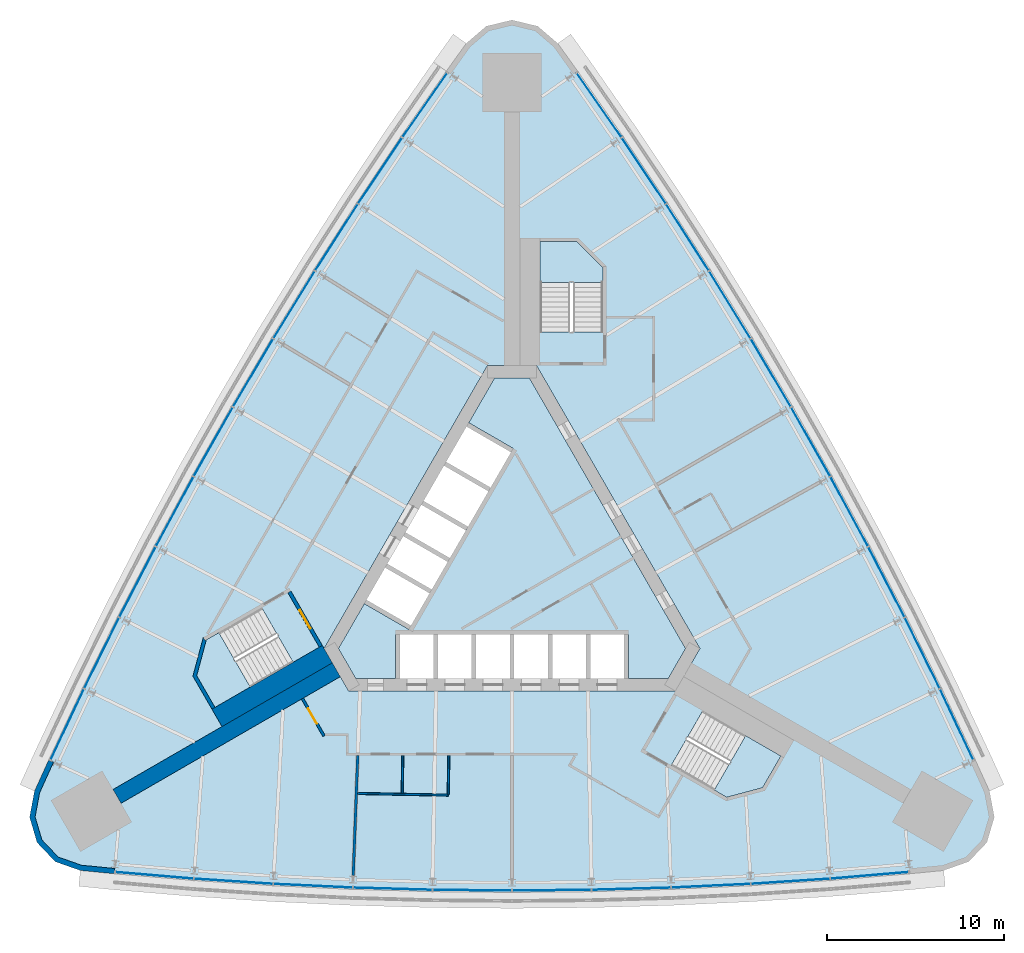
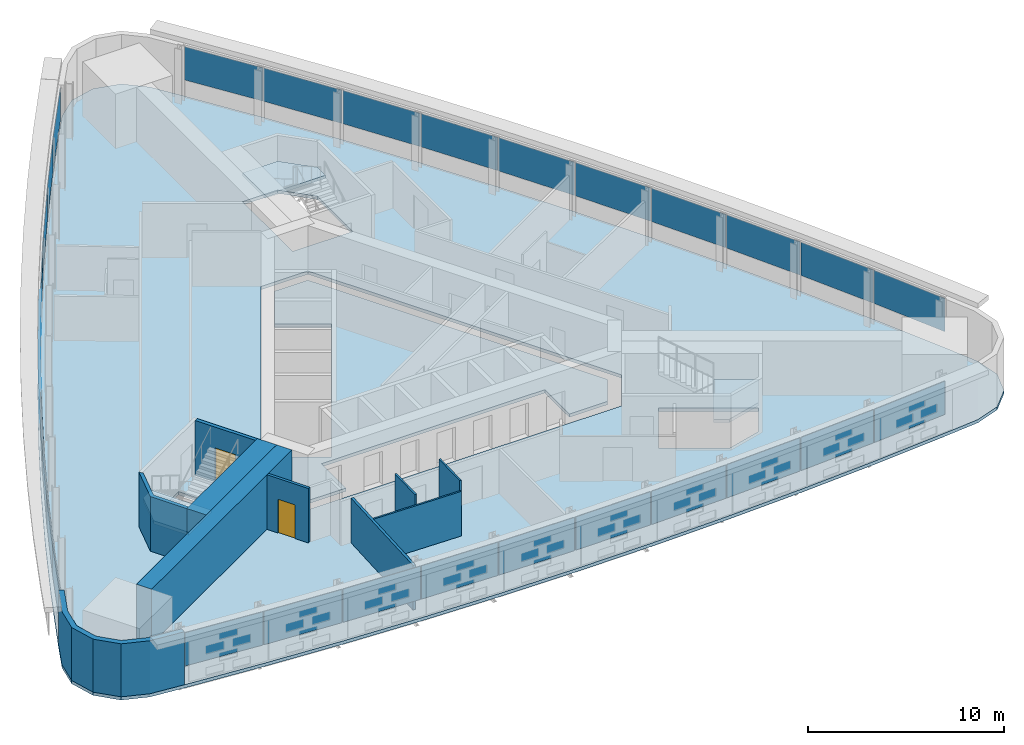
# One storey, part 9 of 14: 30 plates, 10 walls, 5 slabs, 2 doors, 2 openings, 6 elements without a shape of their own.
"""IFC4 building model written with IfcOpenShell, lengths in metres."""

from ifc_helpers import new_model, si_unit, direction, frame, frame_2d, origin, origin_2d, place, context, subcontext, project, spatial, polyline, rectangle, outline, extrude, material, layer, layer_set, type_object, element, fill, aggregate, save


model = new_model("IFC4")

# Units and contexts
model_context = context("Model", 3, precision=1e-05, world=origin(), true_north=direction((0.0, 1.0)))
body_context = subcontext(model_context, "Body", "Model", "MODEL_VIEW")
ifc_project = project(units=[si_unit("LENGTHUNIT", "METRE"), si_unit("AREAUNIT", "SQUARE_METRE"), si_unit("VOLUMEUNIT", "CUBIC_METRE"), si_unit("PLANEANGLEUNIT", "RADIAN"), si_unit("MASSUNIT", "GRAM", prefix="KILO")], contexts=[model_context])

# Site, building, storey
site_placement = place(None, origin())
site = spatial("IfcSite", under=ifc_project, at=site_placement, CompositionType="ELEMENT")
building_placement = place(site_placement, origin())
building = spatial("IfcBuilding", under=site, at=building_placement, Name="Noor Cloister Tower", CompositionType="ELEMENT")
storey_placement = place(building_placement, frame((0.0, 0.0, 42.0)))
storey = spatial("IfcBuildingStorey", under=building, at=storey_placement, Name="L10", CompositionType="ELEMENT", Elevation=42.0)

# Slabs
ifc_material_1 = material(Name="Concrete C40/50", Category="concrete")
ifc_layer_1 = layer(ifc_material_1, 0.199951171875)
ifc_layer_set_1 = layer_set([ifc_layer_1], Name="Core floor slab 200 C40/50")
slab_type_1 = type_object("IfcSlabType", Name="Core floor slab 200 C40/50", PredefinedType="FLOOR", material=ifc_layer_set_1)
slab_1_placement = place(storey_placement, frame((0.0, 0.0, -0.199951171875)))
element("IfcSlab", 1, at=slab_1_placement, inside=storey, type_object=slab_type_1, Name="Core floor L10", PredefinedType="FLOOR", context=body_context, shape_type="SweptSolid", body=[
    extrude(outline(polyline([(-6.574951171875, -6.228271484375), (-6.574951171875, -3.728271484375), (6.574951171875, -3.728271484375), (6.574951171875, -6.228271484375), (8.82470703125, -6.228271484375), (9.80615234375, -4.5283203125), (0.9814453125, 10.75634765625), (-0.9814453125, 10.75634765625), (-2.44384765625, 8.2236328125), (0.067626953125, 6.773681640625), (-5.832275390625, -3.4453125), (-8.34375, -1.995361328125), (-9.80615234375, -4.5283203125), (-8.82470703125, -6.228271484375), (-6.574951171875, -6.228271484375)])), origin(), (0.0, 0.0, 1.0), 0.199951171875),
])
ifc_material_2 = material(Name="Concrete C40/50", Category="concrete")
ifc_layer_2 = layer(ifc_material_2, 0.199951171875)
ifc_layer_set_2 = layer_set([ifc_layer_2], Name="Floor slab 200 C40/50")
slab_type_2 = type_object("IfcSlabType", Name="Floor slab 200 C40/50", PredefinedType="FLOOR", material=ifc_layer_set_2)
slab_2_placement = place(storey_placement, frame((0.0, 0.0, -0.199951171875)))
element("IfcSlab", 2, at=slab_2_placement, inside=storey, type_object=slab_type_2, Name="Floor slab L10", PredefinedType="FLOOR", context=body_context, shape_type="SweptSolid", body=[
    extrude(outline(polyline([(2.58642578125, 29.65234375), (1.45263671875, 30.625244140625), (0.0, 30.975341796875), (-1.45263671875, 30.625244140625), (-2.58642578125, 29.65234375), (-3.708984375, 28.084228515625), (-6.279052734375, 24.390380859375), (-8.779296875, 20.64892578125), (-11.209228515625, 16.861572265625), (-13.56787109375, 13.029296875), (-15.854248046875, 9.1533203125), (-18.067626953125, 5.2353515625), (-20.207275390625, 1.27685546875), (-22.272216796875, -2.721435546875), (-24.26220703125, -6.75732421875), (-26.176025390625, -10.830078125), (-26.972900390625, -12.586181640625), (-27.24853515625, -14.0546875), (-26.825439453125, -15.487548828125), (-25.7958984375, -16.570556640625), (-24.386474609375, -17.066162109375), (-22.467041015625, -17.254150390625), (-17.983154296875, -17.633056640625), (-13.492919921875, -17.927734375), (-8.997802734375, -18.13818359375), (-4.499755859375, -18.2646484375), (0.0, -18.306884765625), (4.499755859375, -18.2646484375), (8.997802734375, -18.13818359375), (13.492919921875, -17.927734375), (17.983154296875, -17.633056640625), (22.467041015625, -17.254150390625), (24.386474609375, -17.066162109375), (25.7958984375, -16.570556640625), (26.825439453125, -15.487548828125), (27.24853515625, -14.0546875), (26.972900390625, -12.586181640625), (26.176025390625, -10.830078125), (24.26220703125, -6.75732421875), (22.272216796875, -2.721435546875), (20.207275390625, 1.27685546875), (18.067626953125, 5.2353515625), (15.854248046875, 9.1533203125), (13.56787109375, 13.029296875), (11.209228515625, 16.861572265625), (8.779296875, 20.64892578125), (6.279052734375, 24.390380859375), (3.708984375, 28.084228515625), (2.58642578125, 29.65234375)]), holes=[polyline([(8.999755859375, -11.126220703125), (12.131591796875, -12.934326171875), (14.1572265625, -12.3916015625), (15.19091796875, -10.601318359375), (10.774658203125, -8.0517578125), (8.999755859375, -11.126220703125)]), polyline([(-17.81005859375, -6.064697265625), (-16.776611328125, -7.85498046875), (-12.3603515625, -5.305419921875), (-14.13525390625, -2.23095703125), (-16.662841796875, -3.690185546875), (-17.267333984375, -4.039306640625), (-17.81005859375, -6.064697265625)]), polyline([(-10.6142578125, -4.5283203125), (-9.228759765625, -6.92822265625), (9.228759765625, -6.92822265625), (10.6142578125, -4.5283203125), (1.3857421875, 11.456298828125), (-1.3857421875, 11.456298828125), (-10.6142578125, -4.5283203125)]), polyline([(3.65283203125, 18.456298828125), (1.585693359375, 18.456298828125), (1.585693359375, 13.35693359375), (5.135498046875, 13.35693359375), (5.135498046875, 16.9736328125), (3.65283203125, 18.456298828125)])]), origin(), (0.0, 0.0, 1.0), 0.199951171875),
])

# Curtain wall, plates
ifc_material_3 = material(Name="Aluminium 6063-T6 anodised", Category="aluminium")
curtain_wall_type = type_object("IfcCurtainWallType", Name="Ribbon curtain wall, lower tower CW1", PredefinedType="NOTDEFINED", material=ifc_material_3)
curtain_wall_1_placement = place(storey_placement, origin())
curtain_wall_1 = element("IfcCurtainWall", 3, at=curtain_wall_1_placement, inside=storey, type_object=curtain_wall_type, Name="CW1 L10 NW run 1", PredefinedType="NOTDEFINED")
ifc_material_4 = material(Name="Clear laminated glass 2 x 8 mm", Category="glass")
ifc_layer_3 = layer(ifc_material_4, 0.028076171875)
ifc_layer_set_3 = layer_set([ifc_layer_3], Name="Glass panel CW1")
plate_type = type_object("IfcPlateType", Name="Glass panel CW1", PredefinedType="CURTAIN_PANEL", material=ifc_layer_set_3)
plate_1_placement = place(storey_placement, frame((-4.923095703125, 26.1640625, 1.08984375), z_axis=(0.0, 0.0, 1.0), x_axis=(-0.571122109742, -0.820865114232, 0.0)))
plate_1 = element("IfcPlate", 4, at=plate_1_placement, type_object=plate_type, Name="CW1 glass panel 1", PredefinedType="CURTAIN_PANEL", context=body_context, shape_type="SweptSolid", body=[
    extrude(rectangle(XDim=4.39892578125, YDim=0.028076171875, at=origin_2d()), origin(), (0.0, 0.0, 1.0), 2.070068359375),
])
plate_2_placement = place(storey_placement, frame((-7.446044921875, 22.464111328125, 1.08984375), z_axis=(0.0, 0.0, 1.0), x_axis=(-0.555650176411, -0.831416190277, 0.0)))
plate_2 = element("IfcPlate", 5, at=plate_2_placement, type_object=plate_type, Name="CW1 glass panel 2", PredefinedType="CURTAIN_PANEL", context=body_context, shape_type="SweptSolid", body=[
    extrude(rectangle(XDim=4.43798828125, YDim=0.028076171875, at=origin_2d()), origin(), (0.0, 0.0, 1.0), 2.070068359375),
])
plate_3_placement = place(storey_placement, frame((-9.91015625, 18.701171875, 1.08984375), z_axis=(0.0, 0.0, 1.0), x_axis=(-0.53998335858, -0.84167569316, 0.0)))
plate_3 = element("IfcPlate", 6, at=plate_3_placement, type_object=plate_type, Name="CW1 glass panel 3", PredefinedType="CURTAIN_PANEL", context=body_context, shape_type="SweptSolid", body=[
    extrude(rectangle(XDim=4.43798828125, YDim=0.028076171875, at=origin_2d()), origin(), (0.0, 0.0, 1.0), 2.070068359375),
])
plate_4_placement = place(storey_placement, frame((-12.303466796875, 14.89306640625, 1.08984375), z_axis=(0.0, 0.0, 1.0), x_axis=(-0.524127179896, -0.851640005691, 0.0)))
plate_4 = element("IfcPlate", 7, at=plate_4_placement, type_object=plate_type, Name="CW1 glass panel 4", PredefinedType="CURTAIN_PANEL", context=body_context, shape_type="SweptSolid", body=[
    extrude(rectangle(XDim=4.43798828125, YDim=0.028076171875, at=origin_2d()), origin(), (0.0, 0.0, 1.0), 2.070068359375),
])
plate_5_placement = place(storey_placement, frame((-14.624755859375, 11.04052734375, 1.08984375), z_axis=(0.0, 0.0, 1.0), x_axis=(-0.508087171671, -0.861305651893, 0.0)))
plate_5 = element("IfcPlate", 8, at=plate_5_placement, type_object=plate_type, Name="CW1 glass panel 5", PredefinedType="CURTAIN_PANEL", context=body_context, shape_type="SweptSolid", body=[
    extrude(rectangle(XDim=4.43798828125, YDim=0.028076171875, at=origin_2d()), origin(), (0.0, 0.0, 1.0), 2.070068359375),
])
plate_6_placement = place(storey_placement, frame((-16.873779296875, 7.145263671875, 1.08984375), z_axis=(0.0, 0.0, 1.0), x_axis=(-0.491868989127, -0.870669223951, 0.0)))
plate_6 = element("IfcPlate", 9, at=plate_6_placement, type_object=plate_type, Name="CW1 glass panel 6", PredefinedType="CURTAIN_PANEL", context=body_context, shape_type="SweptSolid", body=[
    extrude(rectangle(XDim=4.43798828125, YDim=0.028076171875, at=origin_2d()), origin(), (0.0, 0.0, 1.0), 2.070068359375),
])
plate_7_placement = place(storey_placement, frame((-19.04931640625, 3.20849609375, 1.08984375), z_axis=(0.0, 0.0, 1.0), x_axis=(-0.47547828986, -0.87972745545, 0.0)))
plate_7 = element("IfcPlate", 10, at=plate_7_placement, type_object=plate_type, Name="CW1 glass panel 7", PredefinedType="CURTAIN_PANEL", context=body_context, shape_type="SweptSolid", body=[
    extrude(rectangle(XDim=4.43798828125, YDim=0.028076171875, at=origin_2d()), origin(), (0.0, 0.0, 1.0), 2.070068359375),
])
plate_8_placement = place(storey_placement, frame((-21.15087890625, -0.768310546875, 1.08984375), z_axis=(0.0, 0.0, 1.0), x_axis=(-0.458920852734, -0.888477152731, 0.0)))
plate_8 = element("IfcPlate", 11, at=plate_8_placement, type_object=plate_type, Name="CW1 glass panel 8", PredefinedType="CURTAIN_PANEL", context=body_context, shape_type="SweptSolid", body=[
    extrude(rectangle(XDim=4.43798828125, YDim=0.028076171875, at=origin_2d()), origin(), (0.0, 0.0, 1.0), 2.070068359375),
])
plate_9_placement = place(storey_placement, frame((-23.177490234375, -4.78369140625, 1.08984375), z_axis=(0.0, 0.0, 1.0), x_axis=(-0.442202453692, -0.896915263528, 0.0)))
plate_9 = element("IfcPlate", 12, at=plate_9_placement, type_object=plate_type, Name="CW1 glass panel 9", PredefinedType="CURTAIN_PANEL", context=body_context, shape_type="SweptSolid", body=[
    extrude(rectangle(XDim=4.43798828125, YDim=0.028076171875, at=origin_2d()), origin(), (0.0, 0.0, 1.0), 2.070068359375),
])
plate_10_placement = place(storey_placement, frame((-25.120361328125, -8.818603515625, 1.08984375), z_axis=(0.0, 0.0, 1.0), x_axis=(-0.425328987134, -0.905038812816, 0.0)))
plate_10 = element("IfcPlate", 13, at=plate_10_placement, type_object=plate_type, Name="CW1 glass panel 10", PredefinedType="CURTAIN_PANEL", context=body_context, shape_type="SweptSolid", body=[
    extrude(rectangle(XDim=4.39892578125, YDim=0.028076171875, at=origin_2d()), origin(), (0.0, 0.0, 1.0), 2.070068359375),
])
aggregate(curtain_wall_1, [plate_1, plate_2, plate_3, plate_4, plate_5, plate_6, plate_7, plate_8, plate_9, plate_10])

curtain_wall_2_placement = place(storey_placement, origin())
curtain_wall_2 = element("IfcCurtainWall", 14, at=curtain_wall_2_placement, inside=storey, type_object=curtain_wall_type, Name="CW1 L10 S run 2", PredefinedType="NOTDEFINED")
plate_11_placement = place(storey_placement, frame((-20.197265625, -17.345458984375, 1.08984375), z_axis=(0.0, 0.0, 1.0), x_axis=(0.996451096877, -0.084173698584, 0.0)))
plate_11 = element("IfcPlate", 15, at=plate_11_placement, type_object=plate_type, Name="CW1 glass panel 1", PredefinedType="CURTAIN_PANEL", context=body_context, shape_type="SweptSolid", body=[
    extrude(rectangle(XDim=4.39892578125, YDim=0.028076171875, at=origin_2d()), origin(), (0.0, 0.0, 1.0), 2.070068359375),
])
plate_12_placement = place(storey_placement, frame((-15.7314453125, -17.680419921875, 1.08984375), z_axis=(0.0, 0.0, 1.0), x_axis=(0.997852630103, -0.065499073251, 0.0)))
plate_12 = element("IfcPlate", 16, at=plate_12_placement, type_object=plate_type, Name="CW1 glass panel 2", PredefinedType="CURTAIN_PANEL", context=body_context, shape_type="SweptSolid", body=[
    extrude(rectangle(XDim=4.43798828125, YDim=0.028076171875, at=origin_2d()), origin(), (0.0, 0.0, 1.0), 2.070068359375),
])
plate_13_placement = place(storey_placement, frame((-11.24072265625, -17.93310546875, 1.08984375), z_axis=(0.0, 0.0, 1.0), x_axis=(0.998904211315, -0.046801459571, 0.0)))
plate_13 = element("IfcPlate", 17, at=plate_13_placement, type_object=plate_type, Name="CW1 glass panel 3", PredefinedType="CURTAIN_PANEL", context=body_context, shape_type="SweptSolid", body=[
    extrude(rectangle(XDim=4.43798828125, YDim=0.028076171875, at=origin_2d()), origin(), (0.0, 0.0, 1.0), 2.070068359375),
])
plate_14_placement = place(storey_placement, frame((-6.74609375, -18.1015625, 1.08984375), z_axis=(0.0, 0.0, 1.0), x_axis=(0.999605469756, -0.028087449758, 0.0)))
plate_14 = element("IfcPlate", 18, at=plate_14_placement, type_object=plate_type, Name="CW1 glass panel 4", PredefinedType="CURTAIN_PANEL", context=body_context, shape_type="SweptSolid", body=[
    extrude(rectangle(XDim=4.43798828125, YDim=0.028076171875, at=origin_2d()), origin(), (0.0, 0.0, 1.0), 2.070068359375),
])
plate_15_placement = place(storey_placement, frame((-2.2490234375, -18.185791015625, 1.08984375), z_axis=(0.0, 0.0, 1.0), x_axis=(0.999956160798, -0.009363572057, 0.0)))
plate_15 = element("IfcPlate", 19, at=plate_15_placement, type_object=plate_type, Name="CW1 glass panel 5", PredefinedType="CURTAIN_PANEL", context=body_context, shape_type="SweptSolid", body=[
    extrude(rectangle(XDim=4.43798828125, YDim=0.028076171875, at=origin_2d()), origin(), (0.0, 0.0, 1.0), 2.070068359375),
])
plate_16_placement = place(storey_placement, frame((2.2490234375, -18.185791015625, 1.08984375), z_axis=(0.0, 0.0, 1.0), x_axis=(0.999956160798, 0.009363572057, 0.0)))
plate_16 = element("IfcPlate", 20, at=plate_16_placement, type_object=plate_type, Name="CW1 glass panel 6", PredefinedType="CURTAIN_PANEL", context=body_context, shape_type="SweptSolid", body=[
    extrude(rectangle(XDim=4.43798828125, YDim=0.028076171875, at=origin_2d()), origin(), (0.0, 0.0, 1.0), 2.070068359375),
])
plate_17_placement = place(storey_placement, frame((6.74609375, -18.1015625, 1.08984375), z_axis=(0.0, 0.0, 1.0), x_axis=(0.999605469756, 0.028087449758, 0.0)))
plate_17 = element("IfcPlate", 21, at=plate_17_placement, type_object=plate_type, Name="CW1 glass panel 7", PredefinedType="CURTAIN_PANEL", context=body_context, shape_type="SweptSolid", body=[
    extrude(rectangle(XDim=4.43798828125, YDim=0.028076171875, at=origin_2d()), origin(), (0.0, 0.0, 1.0), 2.070068359375),
])
plate_18_placement = place(storey_placement, frame((11.24072265625, -17.93310546875, 1.08984375), z_axis=(0.0, 0.0, 1.0), x_axis=(0.998904211315, 0.046801459571, 0.0)))
plate_18 = element("IfcPlate", 22, at=plate_18_placement, type_object=plate_type, Name="CW1 glass panel 8", PredefinedType="CURTAIN_PANEL", context=body_context, shape_type="SweptSolid", body=[
    extrude(rectangle(XDim=4.43798828125, YDim=0.028076171875, at=origin_2d()), origin(), (0.0, 0.0, 1.0), 2.070068359375),
])
plate_19_placement = place(storey_placement, frame((15.7314453125, -17.680419921875, 1.08984375), z_axis=(0.0, 0.0, 1.0), x_axis=(0.997852630103, 0.065499073251, 0.0)))
plate_19 = element("IfcPlate", 23, at=plate_19_placement, type_object=plate_type, Name="CW1 glass panel 9", PredefinedType="CURTAIN_PANEL", context=body_context, shape_type="SweptSolid", body=[
    extrude(rectangle(XDim=4.43798828125, YDim=0.028076171875, at=origin_2d()), origin(), (0.0, 0.0, 1.0), 2.070068359375),
])
plate_20_placement = place(storey_placement, frame((20.197265625, -17.345458984375, 1.08984375), z_axis=(0.0, 0.0, 1.0), x_axis=(0.996451096877, 0.084173698584, 0.0)))
plate_20 = element("IfcPlate", 24, at=plate_20_placement, type_object=plate_type, Name="CW1 glass panel 10", PredefinedType="CURTAIN_PANEL", context=body_context, shape_type="SweptSolid", body=[
    extrude(rectangle(XDim=4.39892578125, YDim=0.028076171875, at=origin_2d()), origin(), (0.0, 0.0, 1.0), 2.070068359375),
])
aggregate(curtain_wall_2, [plate_11, plate_12, plate_13, plate_14, plate_15, plate_16, plate_17, plate_18, plate_19, plate_20])

curtain_wall_3_placement = place(storey_placement, origin())
curtain_wall_3 = element("IfcCurtainWall", 25, at=curtain_wall_3_placement, inside=storey, type_object=curtain_wall_type, Name="CW1 L10 NE run 3", PredefinedType="NOTDEFINED")
plate_21_placement = place(storey_placement, frame((25.120361328125, -8.818603515625, 1.08984375), z_axis=(0.0, 0.0, 1.0), x_axis=(-0.425328987134, 0.905038812816, 0.0)))
plate_21 = element("IfcPlate", 26, at=plate_21_placement, type_object=plate_type, Name="CW1 glass panel 1", PredefinedType="CURTAIN_PANEL", context=body_context, shape_type="SweptSolid", body=[
    extrude(rectangle(XDim=4.39892578125, YDim=0.028076171875, at=origin_2d()), origin(), (0.0, 0.0, 1.0), 2.070068359375),
])
plate_22_placement = place(storey_placement, frame((23.177490234375, -4.78369140625, 1.08984375), z_axis=(0.0, 0.0, 1.0), x_axis=(-0.442202453692, 0.896915263528, 0.0)))
plate_22 = element("IfcPlate", 27, at=plate_22_placement, type_object=plate_type, Name="CW1 glass panel 2", PredefinedType="CURTAIN_PANEL", context=body_context, shape_type="SweptSolid", body=[
    extrude(rectangle(XDim=4.43798828125, YDim=0.028076171875, at=origin_2d()), origin(), (0.0, 0.0, 1.0), 2.070068359375),
])
plate_23_placement = place(storey_placement, frame((21.15087890625, -0.768310546875, 1.08984375), z_axis=(0.0, 0.0, 1.0), x_axis=(-0.458920852734, 0.888477152731, 0.0)))
plate_23 = element("IfcPlate", 28, at=plate_23_placement, type_object=plate_type, Name="CW1 glass panel 3", PredefinedType="CURTAIN_PANEL", context=body_context, shape_type="SweptSolid", body=[
    extrude(rectangle(XDim=4.43798828125, YDim=0.028076171875, at=origin_2d()), origin(), (0.0, 0.0, 1.0), 2.070068359375),
])
plate_24_placement = place(storey_placement, frame((19.04931640625, 3.20849609375, 1.08984375), z_axis=(0.0, 0.0, 1.0), x_axis=(-0.47547828986, 0.87972745545, 0.0)))
plate_24 = element("IfcPlate", 29, at=plate_24_placement, type_object=plate_type, Name="CW1 glass panel 4", PredefinedType="CURTAIN_PANEL", context=body_context, shape_type="SweptSolid", body=[
    extrude(rectangle(XDim=4.43798828125, YDim=0.028076171875, at=origin_2d()), origin(), (0.0, 0.0, 1.0), 2.070068359375),
])
plate_25_placement = place(storey_placement, frame((16.873779296875, 7.145263671875, 1.08984375), z_axis=(0.0, 0.0, 1.0), x_axis=(-0.491868989127, 0.870669223951, 0.0)))
plate_25 = element("IfcPlate", 30, at=plate_25_placement, type_object=plate_type, Name="CW1 glass panel 5", PredefinedType="CURTAIN_PANEL", context=body_context, shape_type="SweptSolid", body=[
    extrude(rectangle(XDim=4.43798828125, YDim=0.028076171875, at=origin_2d()), origin(), (0.0, 0.0, 1.0), 2.070068359375),
])
plate_26_placement = place(storey_placement, frame((14.624755859375, 11.04052734375, 1.08984375), z_axis=(0.0, 0.0, 1.0), x_axis=(-0.508087171671, 0.861305651893, 0.0)))
plate_26 = element("IfcPlate", 31, at=plate_26_placement, type_object=plate_type, Name="CW1 glass panel 6", PredefinedType="CURTAIN_PANEL", context=body_context, shape_type="SweptSolid", body=[
    extrude(rectangle(XDim=4.43798828125, YDim=0.028076171875, at=origin_2d()), origin(), (0.0, 0.0, 1.0), 2.070068359375),
])
plate_27_placement = place(storey_placement, frame((12.303466796875, 14.89306640625, 1.08984375), z_axis=(0.0, 0.0, 1.0), x_axis=(-0.524127179896, 0.851640005691, 0.0)))
plate_27 = element("IfcPlate", 32, at=plate_27_placement, type_object=plate_type, Name="CW1 glass panel 7", PredefinedType="CURTAIN_PANEL", context=body_context, shape_type="SweptSolid", body=[
    extrude(rectangle(XDim=4.43798828125, YDim=0.028076171875, at=origin_2d()), origin(), (0.0, 0.0, 1.0), 2.070068359375),
])
plate_28_placement = place(storey_placement, frame((9.91015625, 18.701171875, 1.08984375), z_axis=(0.0, 0.0, 1.0), x_axis=(-0.53998335858, 0.84167569316, 0.0)))
plate_28 = element("IfcPlate", 33, at=plate_28_placement, type_object=plate_type, Name="CW1 glass panel 8", PredefinedType="CURTAIN_PANEL", context=body_context, shape_type="SweptSolid", body=[
    extrude(rectangle(XDim=4.43798828125, YDim=0.028076171875, at=origin_2d()), origin(), (0.0, 0.0, 1.0), 2.070068359375),
])
plate_29_placement = place(storey_placement, frame((7.446044921875, 22.464111328125, 1.08984375), z_axis=(0.0, 0.0, 1.0), x_axis=(-0.555650176411, 0.831416190277, 0.0)))
plate_29 = element("IfcPlate", 34, at=plate_29_placement, type_object=plate_type, Name="CW1 glass panel 9", PredefinedType="CURTAIN_PANEL", context=body_context, shape_type="SweptSolid", body=[
    extrude(rectangle(XDim=4.43798828125, YDim=0.028076171875, at=origin_2d()), origin(), (0.0, 0.0, 1.0), 2.070068359375),
])
plate_30_placement = place(storey_placement, frame((4.923095703125, 26.1640625, 1.08984375), z_axis=(0.0, 0.0, 1.0), x_axis=(-0.571122109742, 0.820865114232, 0.0)))
plate_30 = element("IfcPlate", 35, at=plate_30_placement, type_object=plate_type, Name="CW1 glass panel 10", PredefinedType="CURTAIN_PANEL", context=body_context, shape_type="SweptSolid", body=[
    extrude(rectangle(XDim=4.39892578125, YDim=0.028076171875, at=origin_2d()), origin(), (0.0, 0.0, 1.0), 2.070068359375),
])
aggregate(curtain_wall_3, [plate_21, plate_22, plate_23, plate_24, plate_25, plate_26, plate_27, plate_28, plate_29, plate_30])

# Stair, slab
ifc_material_5 = material(Name="Concrete C40/50", Category="concrete")
stair_type = type_object("IfcStairType", Name="Exit stair 22 risers", PredefinedType="HALF_TURN_STAIR", material=ifc_material_5)
stair_1_placement = place(storey_placement, origin())
stair_1 = element("IfcStair", 36, at=stair_1_placement, inside=storey, type_object=stair_type, Name="Exit stair ST1 L10", PredefinedType="HALF_TURN_STAIR")
ifc_material_6 = material(Name="Concrete C40/50", Category="concrete")
ifc_layer_4 = layer(ifc_material_6, 0.199951171875)
ifc_layer_set_4 = layer_set([ifc_layer_4], Name="Stair landing 200 C40/50")
slab_type_3 = type_object("IfcSlabType", Name="Stair landing 200 C40/50", PredefinedType="LANDING", material=ifc_layer_set_4)
slab_3_placement = place(storey_placement, frame((0.0, 0.0, 1.60009765625)))
slab_3 = element("IfcSlab", 37, at=slab_3_placement, type_object=slab_type_3, Name="ST1 landing 1", PredefinedType="LANDING", context=body_context, shape_type="SweptSolid", body=[
    extrude(outline(polyline([(5.135498046875, 16.15576171875), (5.135498046875, 16.9736328125), (3.65283203125, 18.456298828125), (1.585693359375, 18.456298828125), (1.585693359375, 16.15576171875), (5.135498046875, 16.15576171875)])), origin(), (0.0, 0.0, 1.0), 0.199951171875),
])
aggregate(stair_1, [slab_3])

stair_2_placement = place(storey_placement, origin())
stair_2 = element("IfcStair", 38, at=stair_2_placement, inside=storey, type_object=stair_type, Name="Exit stair ST2 L10", PredefinedType="HALF_TURN_STAIR")
slab_4_placement = place(storey_placement, frame((0.0, 0.0, 1.60009765625)))
slab_4 = element("IfcSlab", 39, at=slab_4_placement, type_object=slab_type_3, Name="ST2 landing 1", PredefinedType="LANDING", context=body_context, shape_type="SweptSolid", body=[
    extrude(outline(polyline([(-16.55908203125, -3.63037109375), (-17.267333984375, -4.039306640625), (-17.81005859375, -6.064697265625), (-16.776611328125, -7.85498046875), (-14.7841796875, -6.70458984375), (-16.55908203125, -3.63037109375)])), origin(), (0.0, 0.0, 1.0), 0.199951171875),
])
aggregate(stair_2, [slab_4])

stair_3_placement = place(storey_placement, origin())
stair_3 = element("IfcStair", 40, at=stair_3_placement, inside=storey, type_object=stair_type, Name="Exit stair ST3 L10", PredefinedType="HALF_TURN_STAIR")
slab_5_placement = place(storey_placement, frame((0.0, 0.0, 1.60009765625)))
slab_5 = element("IfcSlab", 41, at=slab_5_placement, type_object=slab_type_3, Name="ST3 landing 1", PredefinedType="LANDING", context=body_context, shape_type="SweptSolid", body=[
    extrude(outline(polyline([(11.423583984375, -12.525390625), (12.131591796875, -12.934326171875), (14.1572265625, -12.3916015625), (15.19091796875, -10.601318359375), (13.198486328125, -9.451171875), (11.423583984375, -12.525390625)])), origin(), (0.0, 0.0, 1.0), 0.199951171875),
])
aggregate(stair_3, [slab_5])

# Wall
ifc_material_7 = material(Name="Concrete C80/95", Category="concrete")
ifc_layer_5 = layer(ifc_material_7, 0.89990234375)
ifc_layer_set_5 = layer_set([ifc_layer_5], Name="Buttress wall 900 C80/95")
wall_type_1 = type_object("IfcWallType", Name="Buttress wall 900 C80/95", PredefinedType="SHEAR", material=ifc_layer_set_5)
wall_1_placement = place(storey_placement, frame((-9.921630859375, -5.728271484375, -0.199951171875), z_axis=(0.0, 0.0, 1.0), x_axis=(-0.866025331845, -0.500000124603, 0.0)))
element("IfcWall", 42, at=wall_1_placement, inside=storey, type_object=wall_type_1, Name="Buttress wall SW L10", PredefinedType="SHEAR", context=body_context, shape_type="SweptSolid", body=[
    extrude(rectangle(XDim=14.30859375, YDim=0.89990234375, at=frame_2d((7.154296875, 0.0))), origin(), (0.0, 0.0, 1.0), 3.599853515625),
])

# Wall, opening, door
ifc_material_8 = material(Name="Gypsum board partition on steel studs, 150 mm", Category="steel")
ifc_layer_6 = layer(ifc_material_8, 0.14990234375)
ifc_layer_set_6 = layer_set([ifc_layer_6], Name="Flat wall 150")
wall_type_2 = type_object("IfcWallType", Name="Flat wall 150", PredefinedType="PARTITIONING", material=ifc_layer_set_6)
wall_2_placement = place(storey_placement, frame((-10.6201171875, -9.46826171875, 0.0), z_axis=(0.0, 0.0, 1.0), x_axis=(-0.500045838785, 0.865998937132, 0.0)))
wall_2 = element("IfcWall", 43, at=wall_2_placement, inside=storey, type_object=wall_type_2, Name="Flat wall 150 L10 011", PredefinedType="PARTITIONING", context=body_context, shape_type="SweptSolid", body=[
    extrude(rectangle(XDim=2.439697265625, YDim=0.14990234375, at=frame_2d((1.2197265625, 0.0))), origin(), (0.0, 0.0, 1.0), 3.39990234375),
])
opening_1_placement = place(wall_2_placement, frame((0.794921875, 0.0, 0.0)))
opening_1 = element("IfcOpeningElement", 44, at=opening_1_placement, cuts=wall_2, Name="Opening L10-012", PredefinedType="OPENING", context=body_context, shape_type="SweptSolid", body=[
    extrude(rectangle(XDim=1.0, YDim=2.10009765625, at=frame_2d((0.5, 1.050048828125))), frame((0.0, 0.0849609375, 0.0), z_axis=(0.0, -1.0, 0.0), x_axis=(1.0, 0.0, 0.0)), (0.0, 0.0, 1.0), 0.169921875),
])
ifc_material_9 = material(Name="Timber door leaf with steel frame", Category="steel")
door_type_1 = type_object("IfcDoorType", Name="Interior door 1000 FD60", OperationType="NOTDEFINED", PredefinedType="DOOR", material=ifc_material_9)
door_1_placement = place(opening_1_placement, origin())
door_1 = element("IfcDoor", 45, at=door_1_placement, inside=storey, type_object=door_type_1, Name="Interior door 1000 L10-012", OperationType="SINGLE_SWING_RIGHT", OverallHeight=2.10009765625, OverallWidth=1.0, PredefinedType="DOOR", context=body_context, shape_type="SweptSolid", body=[
    extrude(rectangle(XDim=1.0, YDim=2.10009765625, at=frame_2d((0.5, 1.050048828125))), frame((0.0, 0.02490234375, 0.0), z_axis=(0.0, -1.0, 0.0), x_axis=(1.0, 0.0, 0.0)), (0.0, 0.0, 1.0), 0.050048828125),
])
fill(opening_1, door_1)

# Walls
wall_3_placement = place(storey_placement, frame((-8.968017578125, -17.3388671875, 0.0), z_axis=(0.0, 0.0, 1.0), x_axis=(0.037473660589, 0.999297615709, 0.0)))
element("IfcWall", 46, at=wall_3_placement, inside=storey, type_object=wall_type_2, Name="Flat wall 150 L10 020", PredefinedType="PARTITIONING", context=body_context, shape_type="SweptSolid", body=[
    extrude(rectangle(XDim=6.762451171875, YDim=0.14990234375, at=frame_2d((3.38134765625, 0.0))), origin(), (0.0, 0.0, 1.0), 2.778076171875),
])
ifc_material_10 = material(Name="Limestone", Category="masonry")
ifc_layer_7 = layer(ifc_material_10, 0.300048828125)
ifc_layer_set_7 = layer_set([ifc_layer_7], Name="Limestone cladding 300")
wall_type_3 = type_object("IfcWallType", Name="Limestone cladding 300", PredefinedType="NOTDEFINED", material=ifc_layer_set_7)
wall_4_placement = place(storey_placement, origin())
element("IfcWall", 47, at=wall_4_placement, inside=storey, type_object=wall_type_3, Name="Limestone pier cladding L10 1.1", PredefinedType="NOTDEFINED", context=body_context, shape_type="SweptSolid", body=[
    extrude(outline(polyline([(-26.176025390625, -10.830078125), (-26.972900390625, -12.586181640625), (-27.24853515625, -14.0546875), (-26.825439453125, -15.487548828125), (-25.7958984375, -16.570556640625), (-24.386474609375, -17.066162109375), (-22.467041015625, -17.254150390625), (-22.43798828125, -16.95556640625), (-24.321044921875, -16.77099609375), (-25.62841796875, -16.3115234375), (-26.55810546875, -15.333251953125), (-26.9404296875, -14.0390625), (-26.684814453125, -12.67724609375), (-25.90283203125, -10.9541015625), (-26.176025390625, -10.830078125)])), origin(), (0.0, 0.0, 1.0), 3.300048828125),
])
ifc_material_11 = material(Name="Gypsum board partition on steel studs, 100 mm", Category="steel")
ifc_layer_8 = layer(ifc_material_11, 0.10009765625)
ifc_layer_set_8 = layer_set([ifc_layer_8], Name="Partition 100")
wall_type_4 = type_object("IfcWallType", Name="Partition 100", PredefinedType="PARTITIONING", material=ifc_layer_set_8)
wall_5_placement = place(storey_placement, frame((-8.71875, -12.716796875, 0.0), z_axis=(0.0, 0.0, 1.0), x_axis=(0.999824773789, -0.018719554441, 0.0)))
element("IfcWall", 48, at=wall_5_placement, inside=storey, type_object=wall_type_4, Name="Partition 100 L10 023", PredefinedType="PARTITIONING", context=body_context, shape_type="SweptSolid", body=[
    extrude(rectangle(XDim=5.112548828125, YDim=0.10009765625, at=frame_2d((2.55615234375, 0.0))), origin(), (0.0, 0.0, 1.0), 2.778076171875),
])
wall_6_placement = place(storey_placement, frame((-3.606201171875, -12.762451171875, 0.0), z_axis=(0.0, 0.0, 1.0), x_axis=(0.018670568063, 0.999825689752, 0.0)))
element("IfcWall", 49, at=wall_6_placement, inside=storey, type_object=wall_type_4, Name="Partition 100 L10 027", PredefinedType="PARTITIONING", context=body_context, shape_type="SweptSolid", body=[
    extrude(rectangle(XDim=2.183837890625, YDim=0.10009765625, at=frame_2d((1.091796875, 0.0))), origin(), (0.0, 0.0, 1.0), 3.39990234375),
])
wall_7_placement = place(storey_placement, frame((-6.205810546875, -12.7138671875, 0.0), z_axis=(0.0, 0.0, 1.0), x_axis=(0.018638115979, 0.99982629523, 0.0)))
element("IfcWall", 50, at=wall_7_placement, inside=storey, type_object=wall_type_4, Name="Partition 100 L10 028", PredefinedType="PARTITIONING", context=body_context, shape_type="SweptSolid", body=[
    extrude(rectangle(XDim=2.13525390625, YDim=0.10009765625, at=frame_2d((1.067626953125, 0.0))), origin(), (0.0, 0.0, 1.0), 3.39990234375),
])
ifc_material_12 = material(Name="Concrete C80/95", Category="concrete")
ifc_layer_9 = layer(ifc_material_12, 1.135986328125)
ifc_layer_set_9 = layer_set([ifc_layer_9], Name="Stair enclosure wall 1136 C80/95")
wall_type_5 = type_object("IfcWallType", Name="Stair enclosure wall 1136 C80/95", PredefinedType="SHEAR", material=ifc_layer_set_9)
wall_8_placement = place(storey_placement, frame((-10.430419921875, -4.8466796875, -0.199951171875), z_axis=(0.0, 0.0, 1.0), x_axis=(-0.866018442252, -0.500012057535, 0.0)))
element("IfcWall", 51, at=wall_8_placement, inside=storey, type_object=wall_type_5, Name="Stair enclosure wall ST2 L10 riser side", PredefinedType="SHEAR", context=body_context, shape_type="SweptSolid", body=[
    extrude(rectangle(XDim=7.199951171875, YDim=1.1357421875, at=frame_2d((3.60009765625, 0.0))), origin(), (0.0, 0.0, 1.0), 3.599853515625),
])

# Wall, opening, door
ifc_material_13 = material(Name="Concrete C80/95", Category="concrete")
ifc_layer_10 = layer(ifc_material_13, 0.199951171875)
ifc_layer_set_10 = layer_set([ifc_layer_10], Name="Stair enclosure wall 200 C80/95")
wall_type_6 = type_object("IfcWallType", Name="Stair enclosure wall 200 C80/95", PredefinedType="SHEAR", material=ifc_layer_set_10)
wall_9_placement = place(storey_placement, frame((-12.575927734375, -1.33056640625, -0.199951171875), z_axis=(0.0, 0.0, 1.0), x_axis=(0.499970499736, -0.8660424351, 0.0)))
wall_9 = element("IfcWall", 52, at=wall_9_placement, inside=storey, type_object=wall_type_6, Name="Stair enclosure wall ST2 L10 near end", PredefinedType="SHEAR", context=body_context, shape_type="SweptSolid", body=[
    extrude(rectangle(XDim=3.550048828125, YDim=0.199951171875, at=frame_2d((1.77490234375, 0.0))), origin(), (0.0, 0.0, 1.0), 3.599853515625),
])
opening_2_placement = place(wall_9_placement, frame((1.175048828125, 0.0, 0.199951171875)))
opening_2 = element("IfcOpeningElement", 53, at=opening_2_placement, cuts=wall_9, Name="Opening L10-ST2L", PredefinedType="OPENING", context=body_context, shape_type="SweptSolid", body=[
    extrude(rectangle(XDim=1.199951171875, YDim=2.10009765625, at=frame_2d((0.60009765625, 1.050048828125))), frame((0.0, 0.10986328125, 0.0), z_axis=(0.0, -1.0, 0.0), x_axis=(1.0, 0.0, 0.0)), (0.0, 0.0, 1.0), 0.219970703125),
])
ifc_material_14 = material(Name="Steel", Category="steel")
door_type_2 = type_object("IfcDoorType", Name="Stair door 1200 x 2100 FD120", OperationType="SINGLE_SWING_LEFT", PredefinedType="DOOR", material=ifc_material_14)
door_2_placement = place(opening_2_placement, origin())
door_2 = element("IfcDoor", 54, at=door_2_placement, inside=storey, type_object=door_type_2, Name="Stair door ST2 L10", OperationType="SINGLE_SWING_RIGHT", OverallHeight=2.10009765625, OverallWidth=1.199951171875, PredefinedType="DOOR", context=body_context, shape_type="SweptSolid", body=[
    extrude(rectangle(XDim=1.199951171875, YDim=2.10009765625, at=frame_2d((0.60009765625, 1.050048828125))), frame((0.0, 0.02490234375, 0.0), z_axis=(0.0, -1.0, 0.0), x_axis=(1.0, 0.0, 0.0)), (0.0, 0.0, 1.0), 0.050048828125),
])
fill(opening_2, door_2)

# Wall
ifc_material_15 = material(Name="Concrete C80/95", Category="concrete")
wall_type_7 = type_object("IfcWallType", Name="Stair far end wall C80/95", PredefinedType="SHEAR", material=ifc_material_15)
wall_10_placement = place(storey_placement, frame((0.0, 0.0, -0.199951171875)))
element("IfcWall", 55, at=wall_10_placement, inside=storey, type_object=wall_type_7, Name="Stair enclosure wall ST2 L10 far end", PredefinedType="SHEAR", context=body_context, shape_type="SweptSolid", body=[
    extrude(outline(polyline([(-17.439208984375, -3.907470703125), (-18.024658203125, -6.093017578125), (-16.94970703125, -7.955078125), (-16.776611328125, -7.85498046875), (-17.81005859375, -6.064697265625), (-17.267333984375, -4.039306640625), (-17.339111328125, -4.08056640625), (-17.339111328125, -4.08056640625), (-17.339111328125, -4.08056640625), (-17.339111328125, -4.08056640625), (-17.339111328125, -4.08056640625), (-17.339111328125, -4.08056640625), (-17.339111328125, -4.08056640625), (-17.339111328125, -4.08056640625), (-17.339111328125, -4.08056640625), (-17.339111328125, -4.08056640625), (-17.339111328125, -4.08056640625), (-17.339111328125, -4.08056640625), (-17.339111328125, -4.08056640625), (-17.339111328125, -4.08056640625), (-17.339111328125, -4.08056640625), (-17.339111328125, -4.08056640625), (-17.339111328125, -4.08056640625), (-17.439208984375, -3.907470703125)])), origin(), (0.0, 0.0, 1.0), 3.599853515625),
])

save(model, "model.ifc")
